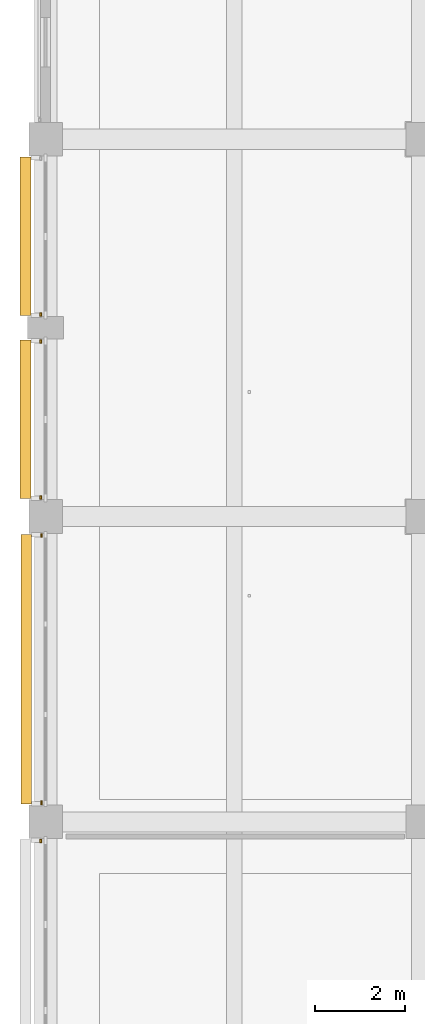
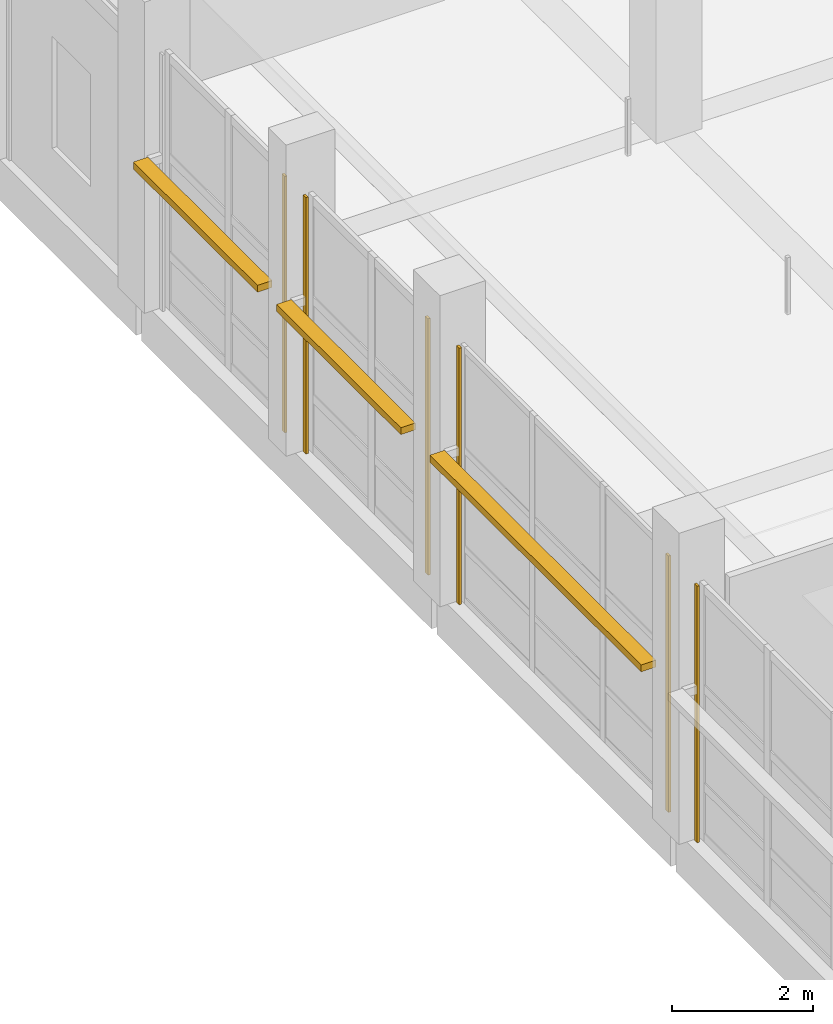
# One storey, part 104 of 140: 6 coverings, 3 shading devices.
"""IFC4 building model written with IfcOpenShell, lengths in metres."""

from ifc_helpers import new_model, si_unit, direction, frame, origin, origin_2d, place, context, subcontext, project, spatial, rectangle, extrude, material, layer, layer_set, type_object, element, save


model = new_model("IFC4")

# Units and contexts
model_context = context("Model", 3, precision=1e-05, world=origin(), true_north=direction((0.0, 1.0)))
body_context = subcontext(model_context, "Body", "Model", "MODEL_VIEW")
ifc_project = project(units=[si_unit("LENGTHUNIT", "METRE"), si_unit("AREAUNIT", "SQUARE_METRE"), si_unit("VOLUMEUNIT", "CUBIC_METRE"), si_unit("PLANEANGLEUNIT", "RADIAN"), si_unit("MASSUNIT", "GRAM", prefix="KILO")], contexts=[model_context])

# Site, building, storey
site_placement = place(None, origin())
site = spatial("IfcSite", under=ifc_project, at=site_placement, CompositionType="ELEMENT")
building_placement = place(site_placement, origin())
building = spatial("IfcBuilding", under=site, at=building_placement, Name="Telukmera Botanical Conservatory", CompositionType="ELEMENT")
storey_placement = place(building_placement, origin())
storey = spatial("IfcBuildingStorey", under=building, at=storey_placement, Name="L00", CompositionType="ELEMENT", Elevation=0.0)

# Coverings
ifc_material_1 = material(Name="Granite-faced precast concrete C40/50", Category="masonry")
ifc_layer_1 = layer(ifc_material_1, 0.0400390625)
ifc_layer_set_1 = layer_set([ifc_layer_1], Name="Granite-faced precast concrete C40/50")
covering_type = type_object("IfcCoveringType", Name="Granite Precast Column Pier Reveal Casing", PredefinedType="CLADDING", material=ifc_layer_set_1)
for number, where, z_axis, x_axis, name in (
    (1, (8.2900390625, 42.373046875, 0.0), (0.0, 0.0, 1.0), (0.0, 1.0, 0.0), "Granite Pier Reveal V3:L00:W3 R"),
    (2, (8.31005859375, 43.22705078125, 0.0), (0.0, 0.0, 1.0), (0.0, 1.0, 0.0), "Granite Pier Reveal V3:L00:W4 L"),
    (3, (8.31005859375, 49.173095703125, 0.0), (0.0, 0.0, 1.0), (0.0, 1.0, 0.0), "Granite Pier Reveal V3:L00:W4 R"),
    (4, (8.2900390625, 50.027099609375, 0.0), (0.0, 0.0, 1.0), (0.0, 1.0, 0.0), "Granite Pier Reveal V3:L00:W5A L"),
    (5, (8.2900390625, 53.498046875, 0.0), (0.0, 0.0, 1.0), (0.0, 1.0, 0.0), "Granite Pier Reveal V3:L00:W5A R"),
    (6, (8.2900390625, 54.10205078125, 0.0), (0.0, 0.0, 1.0), (0.0, 1.0, 0.0), "Granite Pier Reveal V3:L00:W5B L"),
):
    element("IfcCovering", number, at=place(storey_placement, frame(where, z_axis=z_axis, x_axis=x_axis)), inside=storey, type_object=covering_type, Name=name, PredefinedType="CLADDING", context=body_context, shape_type="SweptSolid", body=[
        extrude(rectangle(XDim=0.080078125, YDim=0.0400390625, at=origin_2d()), origin(), (0.0, 0.0, 1.0), 4.449951171875),
    ])

# Shading devices
ifc_material_2 = material(Name="Perforated terracotta-anodised aluminium 6063-T6", Category="masonry")
ifc_layer_2 = layer(ifc_material_2, 0.044921875)
ifc_layer_set_2 = layer_set([ifc_layer_2], Name="Perforated terracotta-anodised aluminium 6063-T6")
shading_device_type = type_object("IfcShadingDeviceType", Name="Perforated Terracotta Aluminium Monsoon Brise Soleil", PredefinedType="JALOUSIE", material=ifc_layer_set_2)
shading_device_placement = place(storey_placement, frame((7.969970703125, 46.199951171875, 2.58984375), z_axis=(0.0, 0.0, 1.0), x_axis=(0.0, 1.0, 0.0)))
element("IfcShadingDevice", 7, at=shading_device_placement, inside=storey, type_object=shading_device_type, Name="Monsoon Shading BS01 V3:L00:W4", PredefinedType="JALOUSIE", context=body_context, shape_type="SweptSolid", body=[
    extrude(rectangle(XDim=6.006103515625, YDim=0.239990234375, at=origin_2d()), origin(), (0.0, 0.0, 1.0), 0.1201171875),
])
for number, where, z_axis, x_axis, name in (
    (8, (7.949951171875, 51.762451171875, 2.58984375), (0.0, 0.0, 1.0), (0.0, 1.0, 0.0), "Monsoon Shading BS01 V3:L00:W5A"),
    (9, (7.949951171875, 55.83740234375, 2.58984375), (0.0, 0.0, 1.0), (0.0, 1.0, 0.0), "Monsoon Shading BS01 V3:L00:W5B"),
):
    element("IfcShadingDevice", number, at=place(storey_placement, frame(where, z_axis=z_axis, x_axis=x_axis)), inside=storey, type_object=shading_device_type, Name=name, PredefinedType="JALOUSIE", context=body_context, shape_type="SweptSolid", body=[
        extrude(rectangle(XDim=3.531005859375, YDim=0.239990234375, at=origin_2d()), origin(), (0.0, 0.0, 1.0), 0.1201171875),
    ])

save(model, "model.ifc")
